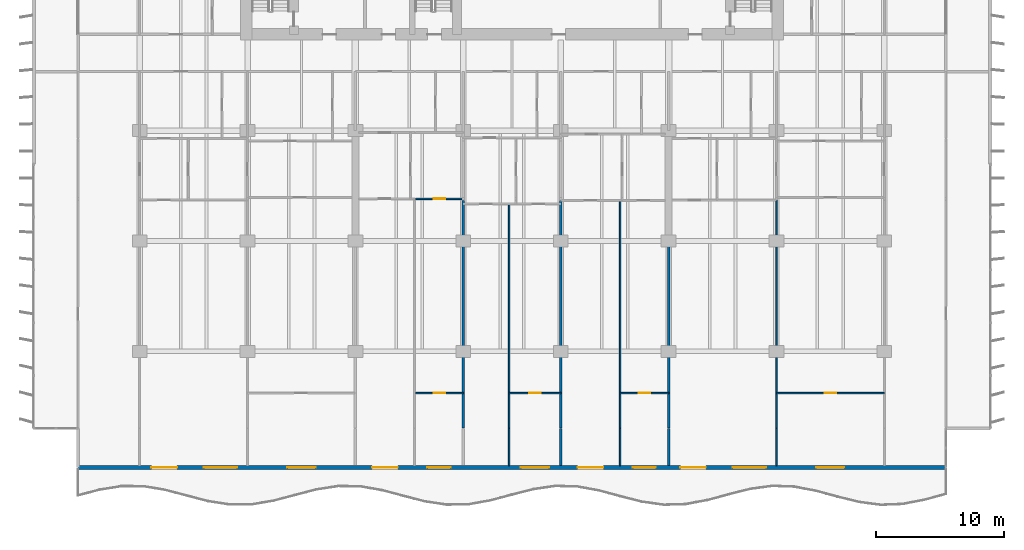
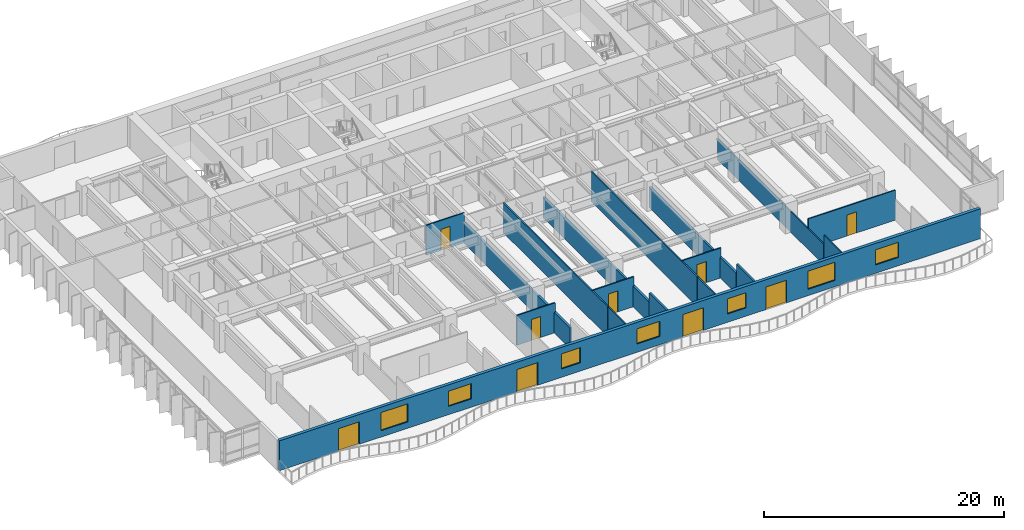
# One storey, part 8 of 18: 17 walls, 9 doors, 7 windows, 16 openings.
"""IFC4 building model written with IfcOpenShell, lengths in metres."""

from ifc_helpers import new_model, si_unit, direction, frame, frame_2d, origin, place, context, subcontext, project, spatial, rectangle, extrude, material, layer, layer_set, type_object, element, fill, save


model = new_model("IFC4")

# Units and contexts
model_context = context("Model", 3, precision=1e-05, world=origin(), true_north=direction((0.0, 1.0)))
body_context = subcontext(model_context, "Body", "Model", "MODEL_VIEW")
ifc_project = project(units=[si_unit("LENGTHUNIT", "METRE"), si_unit("AREAUNIT", "SQUARE_METRE"), si_unit("VOLUMEUNIT", "CUBIC_METRE"), si_unit("PLANEANGLEUNIT", "RADIAN"), si_unit("MASSUNIT", "GRAM", prefix="KILO")], contexts=[model_context])

# Site, building, storey
site_placement = place(None, origin())
site = spatial("IfcSite", under=ifc_project, at=site_placement, CompositionType="ELEMENT")
building_placement = place(site_placement, origin())
building = spatial("IfcBuilding", under=site, at=building_placement, Name="Caelmar Bay Residences", CompositionType="ELEMENT")
storey_placement = place(building_placement, frame((0.0, 0.0, 46.5)))
storey = spatial("IfcBuildingStorey", under=building, at=storey_placement, Name="L11", CompositionType="ELEMENT", Elevation=46.5)

# Wall, openings, doors, windows
ifc_material_1 = material(Name="Precast concrete f'c 40 MPa (6,000 psi)", Category="concrete")
ifc_layer_1 = layer(ifc_material_1, 0.300048828125)
ifc_layer_set_1 = layer_set([ifc_layer_1], Name="Precast concrete f'c 40 MPa (6,000 psi)")
wall_type_1 = type_object("IfcWallType", Name="W-EXT-300", PredefinedType="STANDARD", material=ifc_layer_set_1)
wall_1_placement = place(storey_placement, frame((72.699951171875, 3.14990234375, 0.0), z_axis=(0.0, 0.0, 1.0), x_axis=(-1.0, 0.0, 0.0)))
wall_1 = element("IfcWall", 1, at=wall_1_placement, inside=storey, type_object=wall_type_1, Name="L11 South Bayfront Exterior Wall", PredefinedType="STANDARD", context=body_context, shape_type="SweptSolid", body=[
    extrude(rectangle(XDim=67.599853515625, YDim=0.300048828125, at=frame_2d((33.7998046875, 0.0))), origin(), (0.0, 0.0, 1.0), 3.050048828125),
])
opening_1_placement = place(wall_1_placement, frame((59.889892578125, 0.0, 0.0)))
opening_1 = element("IfcOpeningElement", 2, at=opening_1_placement, cuts=wall_1, Name="Opening L11-BD01", PredefinedType="OPENING", context=body_context, shape_type="SweptSolid", body=[
    extrude(rectangle(XDim=2.0, YDim=2.300048828125, at=frame_2d((1.0, 1.14990234375))), frame((0.0, 0.159912109375, 0.0), z_axis=(0.0, -1.0, 0.0), x_axis=(1.0, 0.0, 0.0)), (0.0, 0.0, 1.0), 0.320068359375),
])
opening_2_placement = place(wall_1_placement, frame((55.2099609375, 0.0, 0.64990234375)))
opening_2 = element("IfcOpeningElement", 3, at=opening_2_placement, cuts=wall_1, Name="Opening WN3", PredefinedType="OPENING", context=body_context, shape_type="SweptSolid", body=[
    extrude(rectangle(XDim=2.60009765625, YDim=1.85009765625, at=frame_2d((1.300048828125, 0.925048828125))), frame((0.0, 0.159912109375, 0.0), z_axis=(0.0, -1.0, 0.0), x_axis=(1.0, 0.0, 0.0)), (0.0, 0.0, 1.0), 0.320068359375),
])
opening_3_placement = place(wall_1_placement, frame((49.10009765625, 0.0, 0.85009765625)))
opening_3 = element("IfcOpeningElement", 4, at=opening_3_placement, cuts=wall_1, Name="Opening WN2", PredefinedType="OPENING", context=body_context, shape_type="SweptSolid", body=[
    extrude(rectangle(XDim=2.199951171875, YDim=1.550048828125, at=frame_2d((1.10009765625, 0.77490234375))), frame((0.0, 0.159912109375, 0.0), z_axis=(0.0, -1.0, 0.0), x_axis=(1.0, 0.0, 0.0)), (0.0, 0.0, 1.0), 0.320068359375),
])
opening_4_placement = place(wall_1_placement, frame((42.68994140625, 0.0, 0.0)))
opening_4 = element("IfcOpeningElement", 5, at=opening_4_placement, cuts=wall_1, Name="Opening L11-BD02", PredefinedType="OPENING", context=body_context, shape_type="SweptSolid", body=[
    extrude(rectangle(XDim=2.0, YDim=2.300048828125, at=frame_2d((1.0, 1.14990234375))), frame((0.0, 0.159912109375, 0.0), z_axis=(0.0, -1.0, 0.0), x_axis=(1.0, 0.0, 0.0)), (0.0, 0.0, 1.0), 0.320068359375),
])
opening_5_placement = place(wall_1_placement, frame((38.590087890625, 0.0, 0.85009765625)))
opening_5 = element("IfcOpeningElement", 6, at=opening_5_placement, cuts=wall_1, Name="Opening WN1", PredefinedType="OPENING", context=body_context, shape_type="SweptSolid", body=[
    extrude(rectangle(XDim=1.800048828125, YDim=1.550048828125, at=frame_2d((0.89990234375, 0.77490234375))), frame((0.0, 0.159912109375, 0.0), z_axis=(0.0, -1.0, 0.0), x_axis=(1.0, 0.0, 0.0)), (0.0, 0.0, 1.0), 0.320068359375),
])
opening_6_placement = place(wall_1_placement, frame((30.9140625, 0.0, 0.85009765625)))
opening_6 = element("IfcOpeningElement", 7, at=opening_6_placement, cuts=wall_1, Name="Opening WN2", PredefinedType="OPENING", context=body_context, shape_type="SweptSolid", body=[
    extrude(rectangle(XDim=2.199951171875, YDim=1.550048828125, at=frame_2d((1.10009765625, 0.77490234375))), frame((0.0, 0.159912109375, 0.0), z_axis=(0.0, -1.0, 0.0), x_axis=(1.0, 0.0, 0.0)), (0.0, 0.0, 1.0), 0.320068359375),
])
opening_7_placement = place(wall_1_placement, frame((26.68994140625, 0.0, 0.0)))
opening_7 = element("IfcOpeningElement", 8, at=opening_7_placement, cuts=wall_1, Name="Opening L11-BD03", PredefinedType="OPENING", context=body_context, shape_type="SweptSolid", body=[
    extrude(rectangle(XDim=2.0, YDim=2.300048828125, at=frame_2d((1.0, 1.14990234375))), frame((0.0, 0.159912109375, 0.0), z_axis=(0.0, -1.0, 0.0), x_axis=(1.0, 0.0, 0.0)), (0.0, 0.0, 1.0), 0.320068359375),
])
opening_8_placement = place(wall_1_placement, frame((22.590087890625, 0.0, 0.85009765625)))
opening_8 = element("IfcOpeningElement", 9, at=opening_8_placement, cuts=wall_1, Name="Opening WN1", PredefinedType="OPENING", context=body_context, shape_type="SweptSolid", body=[
    extrude(rectangle(XDim=1.800048828125, YDim=1.550048828125, at=frame_2d((0.89990234375, 0.77490234375))), frame((0.0, 0.159912109375, 0.0), z_axis=(0.0, -1.0, 0.0), x_axis=(1.0, 0.0, 0.0)), (0.0, 0.0, 1.0), 0.320068359375),
])
opening_9_placement = place(wall_1_placement, frame((18.68994140625, 0.0, 0.0)))
opening_9 = element("IfcOpeningElement", 10, at=opening_9_placement, cuts=wall_1, Name="Opening L11-BD04", PredefinedType="OPENING", context=body_context, shape_type="SweptSolid", body=[
    extrude(rectangle(XDim=2.0, YDim=2.300048828125, at=frame_2d((1.0, 1.14990234375))), frame((0.0, 0.159912109375, 0.0), z_axis=(0.0, -1.0, 0.0), x_axis=(1.0, 0.0, 0.0)), (0.0, 0.0, 1.0), 0.320068359375),
])
opening_10_placement = place(wall_1_placement, frame((14.010009765625, 0.0, 0.64990234375)))
opening_10 = element("IfcOpeningElement", 11, at=opening_10_placement, cuts=wall_1, Name="Opening WN3", PredefinedType="OPENING", context=body_context, shape_type="SweptSolid", body=[
    extrude(rectangle(XDim=2.60009765625, YDim=1.85009765625, at=frame_2d((1.300048828125, 0.925048828125))), frame((0.0, 0.159912109375, 0.0), z_axis=(0.0, -1.0, 0.0), x_axis=(1.0, 0.0, 0.0)), (0.0, 0.0, 1.0), 0.320068359375),
])
opening_11_placement = place(wall_1_placement, frame((7.89990234375, 0.0, 0.85009765625)))
opening_11 = element("IfcOpeningElement", 12, at=opening_11_placement, cuts=wall_1, Name="Opening WN2", PredefinedType="OPENING", context=body_context, shape_type="SweptSolid", body=[
    extrude(rectangle(XDim=2.199951171875, YDim=1.550048828125, at=frame_2d((1.10009765625, 0.77490234375))), frame((0.0, 0.159912109375, 0.0), z_axis=(0.0, -1.0, 0.0), x_axis=(1.0, 0.0, 0.0)), (0.0, 0.0, 1.0), 0.320068359375),
])
ifc_material_2 = material(Name="Anodised bronze thermally broken sliding glass door", Category="glass")
ifc_layer_2 = layer(ifc_material_2, 0.050048828125)
ifc_layer_set_2 = layer_set([ifc_layer_2], Name="Anodised bronze thermally broken sliding glass door")
door_type_1 = type_object("IfcDoorType", Name="D-BAL-2000", OperationType="DOUBLE_DOOR_SLIDING", PredefinedType="DOOR", material=ifc_layer_set_2)
door_1_placement = place(opening_1_placement, origin())
door_1 = element("IfcDoor", 13, at=door_1_placement, inside=storey, type_object=door_type_1, Name="L11 Residence 01 Penthouse Living Salon Balcony Door", OperationType="DOUBLE_DOOR_SLIDING", OverallHeight=2.300048828125, OverallWidth=2.0, PredefinedType="DOOR", context=body_context, shape_type="SweptSolid", body=[
    extrude(rectangle(XDim=2.0, YDim=2.300048828125, at=frame_2d((1.0, 1.14990234375))), frame((0.0, 0.02490234375, 0.0), z_axis=(0.0, -1.0, 0.0), x_axis=(1.0, 0.0, 0.0)), (0.0, 0.0, 1.0), 0.050048828125),
])
fill(opening_1, door_1)
door_2_placement = place(opening_4_placement, origin())
door_2 = element("IfcDoor", 14, at=door_2_placement, inside=storey, type_object=door_type_1, Name="L11 Residence 02 Penthouse Living Salon Balcony Door", OperationType="DOUBLE_DOOR_SLIDING", OverallHeight=2.300048828125, OverallWidth=2.0, PredefinedType="DOOR", context=body_context, shape_type="SweptSolid", body=[
    extrude(rectangle(XDim=2.0, YDim=2.300048828125, at=frame_2d((1.0, 1.14990234375))), frame((0.0, 0.02490234375, 0.0), z_axis=(0.0, -1.0, 0.0), x_axis=(1.0, 0.0, 0.0)), (0.0, 0.0, 1.0), 0.050048828125),
])
fill(opening_4, door_2)
door_3_placement = place(opening_7_placement, origin())
door_3 = element("IfcDoor", 15, at=door_3_placement, inside=storey, type_object=door_type_1, Name="L11 Residence 04 Penthouse Living Salon Balcony Door", OperationType="DOUBLE_DOOR_SLIDING", OverallHeight=2.300048828125, OverallWidth=2.0, PredefinedType="DOOR", context=body_context, shape_type="SweptSolid", body=[
    extrude(rectangle(XDim=2.0, YDim=2.300048828125, at=frame_2d((1.0, 1.14990234375))), frame((0.0, 0.02490234375, 0.0), z_axis=(0.0, -1.0, 0.0), x_axis=(1.0, 0.0, 0.0)), (0.0, 0.0, 1.0), 0.050048828125),
])
fill(opening_7, door_3)
door_4_placement = place(opening_9_placement, origin())
door_4 = element("IfcDoor", 16, at=door_4_placement, inside=storey, type_object=door_type_1, Name="L11 Residence 05 Penthouse Living Salon Balcony Door", OperationType="DOUBLE_DOOR_SLIDING", OverallHeight=2.300048828125, OverallWidth=2.0, PredefinedType="DOOR", context=body_context, shape_type="SweptSolid", body=[
    extrude(rectangle(XDim=2.0, YDim=2.300048828125, at=frame_2d((1.0, 1.14990234375))), frame((0.0, 0.02490234375, 0.0), z_axis=(0.0, -1.0, 0.0), x_axis=(1.0, 0.0, 0.0)), (0.0, 0.0, 1.0), 0.050048828125),
])
fill(opening_9, door_4)
ifc_material_3 = material(Name="Bronze aluminium frame with laminated low-E glass", Category="aluminium")
ifc_layer_3 = layer(ifc_material_3, 0.06005859375)
ifc_layer_set_3 = layer_set([ifc_layer_3], Name="Bronze aluminium frame with laminated low-E glass")
window_type_1 = type_object("IfcWindowType", Name="WIN-BR-1800", PartitioningType="SINGLE_PANEL", PredefinedType="WINDOW", material=ifc_layer_set_3)
window_1_placement = place(opening_5_placement, origin())
window_1 = element("IfcWindow", 17, at=window_1_placement, inside=storey, type_object=window_type_1, Name="L11 Residence 02 Primary Bedroom Window", OverallHeight=1.550048828125, OverallWidth=1.800048828125, PartitioningType="SINGLE_PANEL", PredefinedType="WINDOW", context=body_context, shape_type="SweptSolid", body=[
    extrude(rectangle(XDim=1.800048828125, YDim=1.550048828125, at=frame_2d((0.89990234375, 0.77490234375))), frame((0.0, 0.030029296875, 0.0), z_axis=(0.0, -1.0, 0.0), x_axis=(1.0, 0.0, 0.0)), (0.0, 0.0, 1.0), 0.06005859375),
])
fill(opening_5, window_1)
window_2_placement = place(opening_8_placement, origin())
window_2 = element("IfcWindow", 18, at=window_2_placement, inside=storey, type_object=window_type_1, Name="L11 Residence 04 Primary Bedroom Window", OverallHeight=1.550048828125, OverallWidth=1.800048828125, PartitioningType="SINGLE_PANEL", PredefinedType="WINDOW", context=body_context, shape_type="SweptSolid", body=[
    extrude(rectangle(XDim=1.800048828125, YDim=1.550048828125, at=frame_2d((0.89990234375, 0.77490234375))), frame((0.0, 0.030029296875, 0.0), z_axis=(0.0, -1.0, 0.0), x_axis=(1.0, 0.0, 0.0)), (0.0, 0.0, 1.0), 0.06005859375),
])
fill(opening_8, window_2)
ifc_layer_4 = layer(ifc_material_3, 0.06005859375)
ifc_layer_set_4 = layer_set([ifc_layer_4], Name="Bronze aluminium frame with laminated low-E glass")
window_type_2 = type_object("IfcWindowType", Name="WIN-BR-2200", PartitioningType="SINGLE_PANEL", PredefinedType="WINDOW", material=ifc_layer_set_4)
window_3_placement = place(opening_3_placement, origin())
window_3 = element("IfcWindow", 19, at=window_3_placement, inside=storey, type_object=window_type_2, Name="L11 Residence 01 Primary Bedroom 1 Window", OverallHeight=1.550048828125, OverallWidth=2.199951171875, PartitioningType="SINGLE_PANEL", PredefinedType="WINDOW", context=body_context, shape_type="SweptSolid", body=[
    extrude(rectangle(XDim=2.199951171875, YDim=1.550048828125, at=frame_2d((1.10009765625, 0.77490234375))), frame((0.0, 0.030029296875, 0.0), z_axis=(0.0, -1.0, 0.0), x_axis=(1.0, 0.0, 0.0)), (0.0, 0.0, 1.0), 0.06005859375),
])
fill(opening_3, window_3)
window_4_placement = place(opening_6_placement, origin())
window_4 = element("IfcWindow", 20, at=window_4_placement, inside=storey, type_object=window_type_2, Name="L11 Residence 03 Primary Bedroom Window", OverallHeight=1.550048828125, OverallWidth=2.199951171875, PartitioningType="SINGLE_PANEL", PredefinedType="WINDOW", context=body_context, shape_type="SweptSolid", body=[
    extrude(rectangle(XDim=2.199951171875, YDim=1.550048828125, at=frame_2d((1.10009765625, 0.77490234375))), frame((0.0, 0.030029296875, 0.0), z_axis=(0.0, -1.0, 0.0), x_axis=(1.0, 0.0, 0.0)), (0.0, 0.0, 1.0), 0.06005859375),
])
fill(opening_6, window_4)
window_5_placement = place(opening_11_placement, origin())
window_5 = element("IfcWindow", 21, at=window_5_placement, inside=storey, type_object=window_type_2, Name="L11 Residence 05 Primary Bedroom 1 Window", OverallHeight=1.550048828125, OverallWidth=2.199951171875, PartitioningType="SINGLE_PANEL", PredefinedType="WINDOW", context=body_context, shape_type="SweptSolid", body=[
    extrude(rectangle(XDim=2.199951171875, YDim=1.550048828125, at=frame_2d((1.10009765625, 0.77490234375))), frame((0.0, 0.030029296875, 0.0), z_axis=(0.0, -1.0, 0.0), x_axis=(1.0, 0.0, 0.0)), (0.0, 0.0, 1.0), 0.06005859375),
])
fill(opening_11, window_5)
ifc_layer_5 = layer(ifc_material_3, 0.06005859375)
ifc_layer_set_5 = layer_set([ifc_layer_5], Name="Bronze aluminium frame with laminated low-E glass")
window_type_3 = type_object("IfcWindowType", Name="WIN-LIV-2600", PartitioningType="SINGLE_PANEL", PredefinedType="WINDOW", material=ifc_layer_set_5)
window_6_placement = place(opening_2_placement, origin())
window_6 = element("IfcWindow", 22, at=window_6_placement, inside=storey, type_object=window_type_3, Name="L11 Residence 01 Penthouse Living Salon Panoramic Window", OverallHeight=1.85009765625, OverallWidth=2.60009765625, PartitioningType="SINGLE_PANEL", PredefinedType="WINDOW", context=body_context, shape_type="SweptSolid", body=[
    extrude(rectangle(XDim=2.60009765625, YDim=1.85009765625, at=frame_2d((1.300048828125, 0.925048828125))), frame((0.0, 0.030029296875, 0.0), z_axis=(0.0, -1.0, 0.0), x_axis=(1.0, 0.0, 0.0)), (0.0, 0.0, 1.0), 0.06005859375),
])
fill(opening_2, window_6)
window_7_placement = place(opening_10_placement, origin())
window_7 = element("IfcWindow", 23, at=window_7_placement, inside=storey, type_object=window_type_3, Name="L11 Residence 05 Penthouse Living Salon Panoramic Window", OverallHeight=1.85009765625, OverallWidth=2.60009765625, PartitioningType="SINGLE_PANEL", PredefinedType="WINDOW", context=body_context, shape_type="SweptSolid", body=[
    extrude(rectangle(XDim=2.60009765625, YDim=1.85009765625, at=frame_2d((1.300048828125, 0.925048828125))), frame((0.0, 0.030029296875, 0.0), z_axis=(0.0, -1.0, 0.0), x_axis=(1.0, 0.0, 0.0)), (0.0, 0.0, 1.0), 0.06005859375),
])
fill(opening_10, window_7)

# Walls
ifc_material_4 = material(Name="Acoustic metal-stud gypsum partition 120 mm")
ifc_layer_6 = layer(ifc_material_4, 0.1201171875)
ifc_layer_set_6 = layer_set([ifc_layer_6], Name="Acoustic metal-stud gypsum partition 120 mm")
wall_type_2 = type_object("IfcWallType", Name="W-PRT-120", PredefinedType="PARTITIONING", material=ifc_layer_set_6)
wall_2_placement = place(storey_placement, frame((38.672119140625, 3.294921875, 0.0), z_axis=(0.0, 0.0, 1.0), x_axis=(0.0, 1.0, 0.0)))
element("IfcWall", 24, at=wall_2_placement, inside=storey, type_object=wall_type_2, Name="L11 Partition Wall V053", PredefinedType="PARTITIONING", context=body_context, shape_type="SweptSolid", body=[
    extrude(rectangle(XDim=2.905029296875, YDim=0.1201171875, at=frame_2d((1.45263671875, 0.0))), origin(), (0.0, 0.0, 1.0), 3.050048828125),
])
wall_3_placement = place(storey_placement, frame((38.672119140625, 6.239990234375, 0.0), z_axis=(0.0, 0.0, 1.0), x_axis=(0.0, 1.0, 0.0)))
element("IfcWall", 25, at=wall_3_placement, inside=storey, type_object=wall_type_2, Name="L11 Partition Wall V054", PredefinedType="PARTITIONING", context=body_context, shape_type="SweptSolid", body=[
    extrude(rectangle(XDim=17.449951171875, YDim=0.1201171875, at=frame_2d((8.72509765625, 0.0))), origin(), (0.0, 0.0, 1.0), 3.050048828125),
])
wall_4_placement = place(storey_placement, frame((47.320068359375, 3.294921875, 0.0), z_axis=(0.0, 0.0, 1.0), x_axis=(0.0, 1.0, 0.0)))
element("IfcWall", 26, at=wall_4_placement, inside=storey, type_object=wall_type_2, Name="L11 Partition Wall V070", PredefinedType="PARTITIONING", context=body_context, shape_type="SweptSolid", body=[
    extrude(rectangle(XDim=2.905029296875, YDim=0.1201171875, at=frame_2d((1.45263671875, 0.0))), origin(), (0.0, 0.0, 1.0), 3.050048828125),
])
wall_5_placement = place(storey_placement, frame((47.320068359375, 6.239990234375, 0.0), z_axis=(0.0, 0.0, 1.0), x_axis=(0.0, 1.0, 0.0)))
element("IfcWall", 27, at=wall_5_placement, inside=storey, type_object=wall_type_2, Name="L11 Partition Wall V071", PredefinedType="PARTITIONING", context=body_context, shape_type="SweptSolid", body=[
    extrude(rectangle(XDim=17.72998046875, YDim=0.1201171875, at=frame_2d((8.864990234375, 0.0))), origin(), (0.0, 0.0, 1.0), 3.050048828125),
])
wall_6_placement = place(storey_placement, frame((59.5, 3.294921875, 0.0), z_axis=(0.0, 0.0, 1.0), x_axis=(0.0, 1.0, 0.0)))
element("IfcWall", 28, at=wall_6_placement, inside=storey, type_object=wall_type_2, Name="L11 Partition Wall V090", PredefinedType="PARTITIONING", context=body_context, shape_type="SweptSolid", body=[
    extrude(rectangle(XDim=2.905029296875, YDim=0.1201171875, at=frame_2d((1.45263671875, 0.0))), origin(), (0.0, 0.0, 1.0), 3.050048828125),
])
wall_7_placement = place(storey_placement, frame((59.5, 6.239990234375, 0.0), z_axis=(0.0, 0.0, 1.0), x_axis=(0.0, 1.0, 0.0)))
element("IfcWall", 29, at=wall_7_placement, inside=storey, type_object=wall_type_2, Name="L11 Partition Wall V091", PredefinedType="PARTITIONING", context=body_context, shape_type="SweptSolid", body=[
    extrude(rectangle(XDim=17.72998046875, YDim=0.1201171875, at=frame_2d((8.864990234375, 0.0))), origin(), (0.0, 0.0, 1.0), 2.110107421875),
])

# Wall, opening, door
wall_8_placement = place(storey_placement, frame((31.39990234375, 8.949951171875, 0.0), z_axis=(0.0, 0.0, 1.0), x_axis=(1.0, 0.0, 0.0)))
wall_8 = element("IfcWall", 30, at=wall_8_placement, inside=storey, type_object=wall_type_2, Name="L11 Partition Wall H114", PredefinedType="PARTITIONING", context=body_context, shape_type="SweptSolid", body=[
    extrude(rectangle(XDim=3.7001953125, YDim=0.1201171875, at=frame_2d((1.85009765625, 0.0))), origin(), (0.0, 0.0, 1.0), 3.050048828125),
])
opening_12_placement = place(wall_8_placement, frame((1.39990234375, 0.0, 0.0)))
opening_12 = element("IfcOpeningElement", 31, at=opening_12_placement, cuts=wall_8, Name="Opening D-L11-140", PredefinedType="OPENING", context=body_context, shape_type="SweptSolid", body=[
    extrude(rectangle(XDim=0.89990234375, YDim=2.14990234375, at=frame_2d((0.449951171875, 1.074951171875))), frame((0.0, 0.070068359375, 0.0), z_axis=(0.0, -1.0, 0.0), x_axis=(1.0, 0.0, 0.0)), (0.0, 0.0, 1.0), 0.14013671875),
])
ifc_material_5 = material(Name="Solid walnut timber interior door leaf and frame", Category="wood")
ifc_layer_7 = layer(ifc_material_5, 0.050048828125)
ifc_layer_set_7 = layer_set([ifc_layer_7], Name="Solid walnut timber interior door leaf and frame")
door_type_2 = type_object("IfcDoorType", Name="D-ROOM-900", OperationType="NOTDEFINED", PredefinedType="DOOR", material=ifc_layer_set_7)
door_5_placement = place(opening_12_placement, origin())
door_5 = element("IfcDoor", 32, at=door_5_placement, inside=storey, type_object=door_type_2, Name="L11 Residence 02 Primary Bedroom Door", OperationType="SINGLE_SWING_LEFT", OverallHeight=2.14990234375, OverallWidth=0.89990234375, PredefinedType="DOOR", context=body_context, shape_type="SweptSolid", body=[
    extrude(rectangle(XDim=0.89990234375, YDim=2.14990234375, at=frame_2d((0.449951171875, 1.074951171875))), frame((0.0, 0.02490234375, 0.0), z_axis=(0.0, -1.0, 0.0), x_axis=(1.0, 0.0, 0.0)), (0.0, 0.0, 1.0), 0.050048828125),
])
fill(opening_12, door_5)

wall_9_placement = place(storey_placement, frame((38.672119140625, 8.949951171875, 0.0), z_axis=(0.0, 0.0, 1.0), x_axis=(1.0, 0.0, 0.0)))
wall_9 = element("IfcWall", 33, at=wall_9_placement, inside=storey, type_object=wall_type_2, Name="L11 Partition Wall H115", PredefinedType="PARTITIONING", context=body_context, shape_type="SweptSolid", body=[
    extrude(rectangle(XDim=4.02783203125, YDim=0.1201171875, at=frame_2d((2.013916015625, 0.0))), origin(), (0.0, 0.0, 1.0), 3.050048828125),
])
opening_13_placement = place(wall_9_placement, frame((1.56396484375, 0.0, 0.0)))
opening_13 = element("IfcOpeningElement", 34, at=opening_13_placement, cuts=wall_9, Name="Opening D-L11-147", PredefinedType="OPENING", context=body_context, shape_type="SweptSolid", body=[
    extrude(rectangle(XDim=0.89990234375, YDim=2.14990234375, at=frame_2d((0.449951171875, 1.074951171875))), frame((0.0, 0.070068359375, 0.0), z_axis=(0.0, -1.0, 0.0), x_axis=(1.0, 0.0, 0.0)), (0.0, 0.0, 1.0), 0.14013671875),
])
door_6_placement = place(opening_13_placement, origin())
door_6 = element("IfcDoor", 35, at=door_6_placement, inside=storey, type_object=door_type_2, Name="L11 Residence 03 Primary Bedroom Door", OperationType="SINGLE_SWING_RIGHT", OverallHeight=2.14990234375, OverallWidth=0.89990234375, PredefinedType="DOOR", context=body_context, shape_type="SweptSolid", body=[
    extrude(rectangle(XDim=0.89990234375, YDim=2.14990234375, at=frame_2d((0.449951171875, 1.074951171875))), frame((0.0, 0.02490234375, 0.0), z_axis=(0.0, -1.0, 0.0), x_axis=(1.0, 0.0, 0.0)), (0.0, 0.0, 1.0), 0.050048828125),
])
fill(opening_13, door_6)

wall_10_placement = place(storey_placement, frame((47.320068359375, 8.949951171875, 0.0), z_axis=(0.0, 0.0, 1.0), x_axis=(1.0, 0.0, 0.0)))
wall_10 = element("IfcWall", 36, at=wall_10_placement, inside=storey, type_object=wall_type_2, Name="L11 Partition Wall H116", PredefinedType="PARTITIONING", context=body_context, shape_type="SweptSolid", body=[
    extrude(rectangle(XDim=3.780029296875, YDim=0.1201171875, at=frame_2d((1.89013671875, 0.0))), origin(), (0.0, 0.0, 1.0), 3.050048828125),
])
opening_14_placement = place(wall_10_placement, frame((1.43994140625, 0.0, 0.0)))
opening_14 = element("IfcOpeningElement", 37, at=opening_14_placement, cuts=wall_10, Name="Opening D-L11-154", PredefinedType="OPENING", context=body_context, shape_type="SweptSolid", body=[
    extrude(rectangle(XDim=0.89990234375, YDim=2.14990234375, at=frame_2d((0.449951171875, 1.074951171875))), frame((0.0, 0.070068359375, 0.0), z_axis=(0.0, -1.0, 0.0), x_axis=(1.0, 0.0, 0.0)), (0.0, 0.0, 1.0), 0.14013671875),
])
door_7_placement = place(opening_14_placement, origin())
door_7 = element("IfcDoor", 38, at=door_7_placement, inside=storey, type_object=door_type_2, Name="L11 Residence 04 Primary Bedroom Door", OperationType="SINGLE_SWING_LEFT", OverallHeight=2.14990234375, OverallWidth=0.89990234375, PredefinedType="DOOR", context=body_context, shape_type="SweptSolid", body=[
    extrude(rectangle(XDim=0.89990234375, YDim=2.14990234375, at=frame_2d((0.449951171875, 1.074951171875))), frame((0.0, 0.02490234375, 0.0), z_axis=(0.0, -1.0, 0.0), x_axis=(1.0, 0.0, 0.0)), (0.0, 0.0, 1.0), 0.050048828125),
])
fill(opening_14, door_7)

wall_11_placement = place(storey_placement, frame((59.5, 8.949951171875, 0.0), z_axis=(0.0, 0.0, 1.0), x_axis=(1.0, 0.0, 0.0)))
wall_11 = element("IfcWall", 39, at=wall_11_placement, inside=storey, type_object=wall_type_2, Name="L11 Partition Wall H117", PredefinedType="PARTITIONING", context=body_context, shape_type="SweptSolid", body=[
    extrude(rectangle(XDim=8.39990234375, YDim=0.1201171875, at=frame_2d((4.199951171875, 0.0))), origin(), (0.0, 0.0, 1.0), 3.050048828125),
])
opening_15_placement = place(wall_11_placement, frame((3.75, 0.0, 0.0)))
opening_15 = element("IfcOpeningElement", 40, at=opening_15_placement, cuts=wall_11, Name="Opening D-L11-164", PredefinedType="OPENING", context=body_context, shape_type="SweptSolid", body=[
    extrude(rectangle(XDim=0.89990234375, YDim=2.14990234375, at=frame_2d((0.449951171875, 1.074951171875))), frame((0.0, 0.070068359375, 0.0), z_axis=(0.0, -1.0, 0.0), x_axis=(1.0, 0.0, 0.0)), (0.0, 0.0, 1.0), 0.14013671875),
])
door_8_placement = place(opening_15_placement, origin())
door_8 = element("IfcDoor", 41, at=door_8_placement, inside=storey, type_object=door_type_2, Name="L11 Residence 05 Primary Bedroom 1 Door", OperationType="SINGLE_SWING_LEFT", OverallHeight=2.14990234375, OverallWidth=0.89990234375, PredefinedType="DOOR", context=body_context, shape_type="SweptSolid", body=[
    extrude(rectangle(XDim=0.89990234375, YDim=2.14990234375, at=frame_2d((0.449951171875, 1.074951171875))), frame((0.0, 0.02490234375, 0.0), z_axis=(0.0, -1.0, 0.0), x_axis=(1.0, 0.0, 0.0)), (0.0, 0.0, 1.0), 0.050048828125),
])
fill(opening_15, door_8)

wall_12_placement = place(storey_placement, frame((31.39990234375, 24.090087890625, 0.0), z_axis=(0.0, 0.0, 1.0), x_axis=(1.0, 0.0, 0.0)))
wall_12 = element("IfcWall", 42, at=wall_12_placement, inside=storey, type_object=wall_type_2, Name="L11 Partition Wall H123", PredefinedType="PARTITIONING", context=body_context, shape_type="SweptSolid", body=[
    extrude(rectangle(XDim=3.7001953125, YDim=0.1201171875, at=frame_2d((1.85009765625, 0.0))), origin(), (0.0, 0.0, 1.0), 3.050048828125),
])
opening_16_placement = place(wall_12_placement, frame((1.39990234375, 0.0, 0.0)))
opening_16 = element("IfcOpeningElement", 43, at=opening_16_placement, cuts=wall_12, Name="Opening D-L11-139", PredefinedType="OPENING", context=body_context, shape_type="SweptSolid", body=[
    extrude(rectangle(XDim=0.89990234375, YDim=2.14990234375, at=frame_2d((0.449951171875, 1.074951171875))), frame((0.0, 0.070068359375, 0.0), z_axis=(0.0, -1.0, 0.0), x_axis=(1.0, 0.0, 0.0)), (0.0, 0.0, 1.0), 0.14013671875),
])
door_9_placement = place(opening_16_placement, origin())
door_9 = element("IfcDoor", 44, at=door_9_placement, inside=storey, type_object=door_type_2, Name="L11 Residence 02 Penthouse Sitting Room Door", OperationType="SINGLE_SWING_RIGHT", OverallHeight=2.14990234375, OverallWidth=0.89990234375, PredefinedType="DOOR", context=body_context, shape_type="SweptSolid", body=[
    extrude(rectangle(XDim=0.89990234375, YDim=2.14990234375, at=frame_2d((0.449951171875, 1.074951171875))), frame((0.0, 0.02490234375, 0.0), z_axis=(0.0, -1.0, 0.0), x_axis=(1.0, 0.0, 0.0)), (0.0, 0.0, 1.0), 0.050048828125),
])
fill(opening_16, door_9)

# Walls
ifc_material_6 = material(Name="Acoustic twin-stud fire-rated inter-tenancy partition 200 mm")
ifc_layer_8 = layer(ifc_material_6, 0.199951171875)
ifc_layer_set_8 = layer_set([ifc_layer_8], Name="Acoustic twin-stud fire-rated inter-tenancy partition 200 mm")
wall_type_3 = type_object("IfcWallType", Name="W-PTY-200", PredefinedType="PARTITIONING", material=ifc_layer_set_8)
wall_13_placement = place(storey_placement, frame((35.10009765625, 6.239990234375, 0.0), z_axis=(0.0, 0.0, 1.0), x_axis=(0.0, 1.0, 0.0)))
element("IfcWall", 45, at=wall_13_placement, inside=storey, type_object=wall_type_3, Name="L11 Partition Wall V046", PredefinedType="PARTITIONING", context=body_context, shape_type="SweptSolid", body=[
    extrude(rectangle(XDim=17.72998046875, YDim=0.199951171875, at=frame_2d((8.864990234375, 0.0))), origin(), (0.0, 0.0, 1.0), 2.110107421875),
])
wall_14_placement = place(storey_placement, frame((42.699951171875, 3.294921875, 0.0), z_axis=(0.0, 0.0, 1.0), x_axis=(0.0, 1.0, 0.0)))
element("IfcWall", 46, at=wall_14_placement, inside=storey, type_object=wall_type_3, Name="L11 Partition Wall V061", PredefinedType="PARTITIONING", context=body_context, shape_type="SweptSolid", body=[
    extrude(rectangle(XDim=2.905029296875, YDim=0.199951171875, at=frame_2d((1.45263671875, 0.0))), origin(), (0.0, 0.0, 1.0), 3.050048828125),
])
wall_15_placement = place(storey_placement, frame((42.699951171875, 6.239990234375, 0.0), z_axis=(0.0, 0.0, 1.0), x_axis=(0.0, 1.0, 0.0)))
element("IfcWall", 47, at=wall_15_placement, inside=storey, type_object=wall_type_3, Name="L11 Partition Wall V062", PredefinedType="PARTITIONING", context=body_context, shape_type="SweptSolid", body=[
    extrude(rectangle(XDim=17.72998046875, YDim=0.199951171875, at=frame_2d((8.864990234375, 0.0))), origin(), (0.0, 0.0, 1.0), 2.110107421875),
])
wall_16_placement = place(storey_placement, frame((51.10009765625, 3.294921875, 0.0), z_axis=(0.0, 0.0, 1.0), x_axis=(0.0, 1.0, 0.0)))
element("IfcWall", 48, at=wall_16_placement, inside=storey, type_object=wall_type_3, Name="L11 Partition Wall V080", PredefinedType="PARTITIONING", context=body_context, shape_type="SweptSolid", body=[
    extrude(rectangle(XDim=2.905029296875, YDim=0.199951171875, at=frame_2d((1.45263671875, 0.0))), origin(), (0.0, 0.0, 1.0), 3.050048828125),
])
wall_17_placement = place(storey_placement, frame((51.10009765625, 6.239990234375, 0.0), z_axis=(0.0, 0.0, 1.0), x_axis=(0.0, 1.0, 0.0)))
element("IfcWall", 49, at=wall_17_placement, inside=storey, type_object=wall_type_3, Name="L11 Partition Wall V081", PredefinedType="PARTITIONING", context=body_context, shape_type="SweptSolid", body=[
    extrude(rectangle(XDim=14.554931640625, YDim=0.199951171875, at=frame_2d((7.27734375, 0.0))), origin(), (0.0, 0.0, 1.0), 2.110107421875),
])

save(model, "model.ifc")
